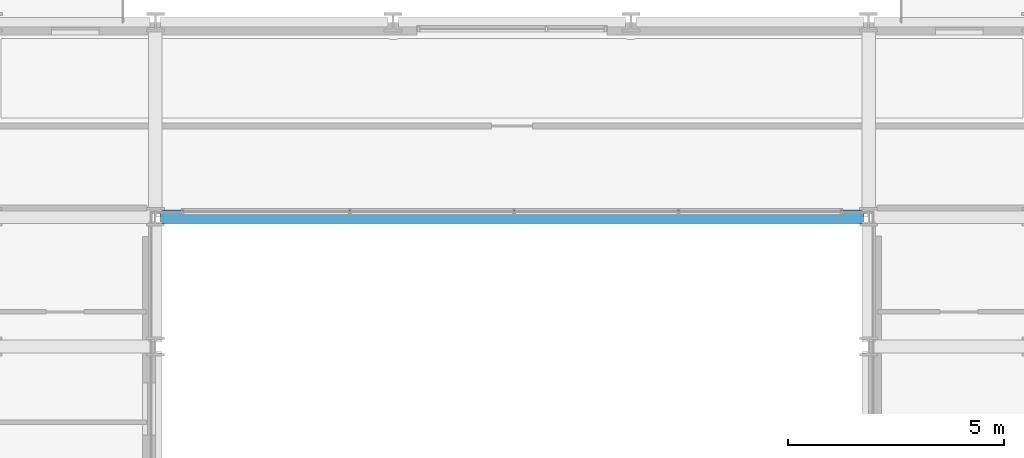
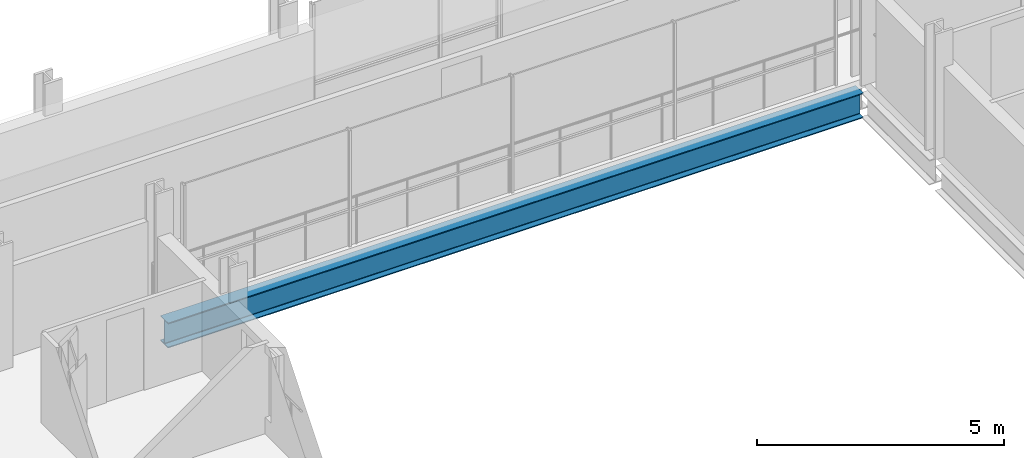
# One storey, part 10 of 39: 1 beam.
"""IFC4 building model written with IfcOpenShell, lengths in metres."""

from ifc_helpers import new_model, si_unit, direction, frame, origin, origin_2d, place, context, subcontext, project, spatial, i_section, extrude, material, material_profile, profile_set, type_object, element, save


model = new_model("IFC4")

# Units and contexts
model_context = context("Model", 3, precision=1e-05, world=origin(), true_north=direction((0.0, 1.0)))
body_context = subcontext(model_context, "Body", "Model", "MODEL_VIEW")
ifc_project = project(units=[si_unit("LENGTHUNIT", "METRE"), si_unit("AREAUNIT", "SQUARE_METRE"), si_unit("VOLUMEUNIT", "CUBIC_METRE"), si_unit("PLANEANGLEUNIT", "RADIAN"), si_unit("MASSUNIT", "GRAM", prefix="KILO")], contexts=[model_context])

# Site, building, storey
site_placement = place(None, origin())
site = spatial("IfcSite", under=ifc_project, at=site_placement, CompositionType="ELEMENT")
building_placement = place(site_placement, origin())
building = spatial("IfcBuilding", under=site, at=building_placement, Name="Brevholm Reach", CompositionType="ELEMENT")
storey_placement = place(building_placement, frame((0.0, 0.0, 77.60009765625)))
storey = spatial("IfcBuildingStorey", under=building, at=storey_placement, Name="L22", CompositionType="ELEMENT", Elevation=77.60009765625)

# Beam
ifc_material = material(Name="Structural Steel S355J2", Category="steel")
ifc_material_profile = material_profile(ifc_material, i_section(OverallWidth=0.30712890625, OverallDepth=0.6201171875, WebThickness=0.01416015625, FlangeThickness=0.023681640625, FilletRadius=0.0166015625, at=origin_2d()), Name="UKB 610x305x179")
ifc_profile_set = profile_set([ifc_material_profile], Name="Structural Steel S355J2")
beam_type = type_object("IfcBeamType", Name="BM-UKB610H", PredefinedType="USERDEFINED", material=ifc_profile_set)
beam_placement = place(storey_placement, frame((21.8701171875, 26.5, -0.540283203125), z_axis=(1.0, 0.0, 0.0), x_axis=(0.0, 1.0, 0.0)))
element("IfcBeam", 1, at=beam_placement, inside=storey, type_object=beam_type, Name="L22 G-06 Framing Beam", ObjectType="GIRDER", PredefinedType="USERDEFINED", context=body_context, shape_type="SweptSolid", body=[
    extrude(i_section(OverallWidth=0.30712890625, OverallDepth=0.6201171875, WebThickness=0.01416015625, FlangeThickness=0.023681640625, FilletRadius=0.0166015625, at=origin_2d()), origin(), (0.0, 0.0, 1.0), 16.259765625),
])

save(model, "model.ifc")
